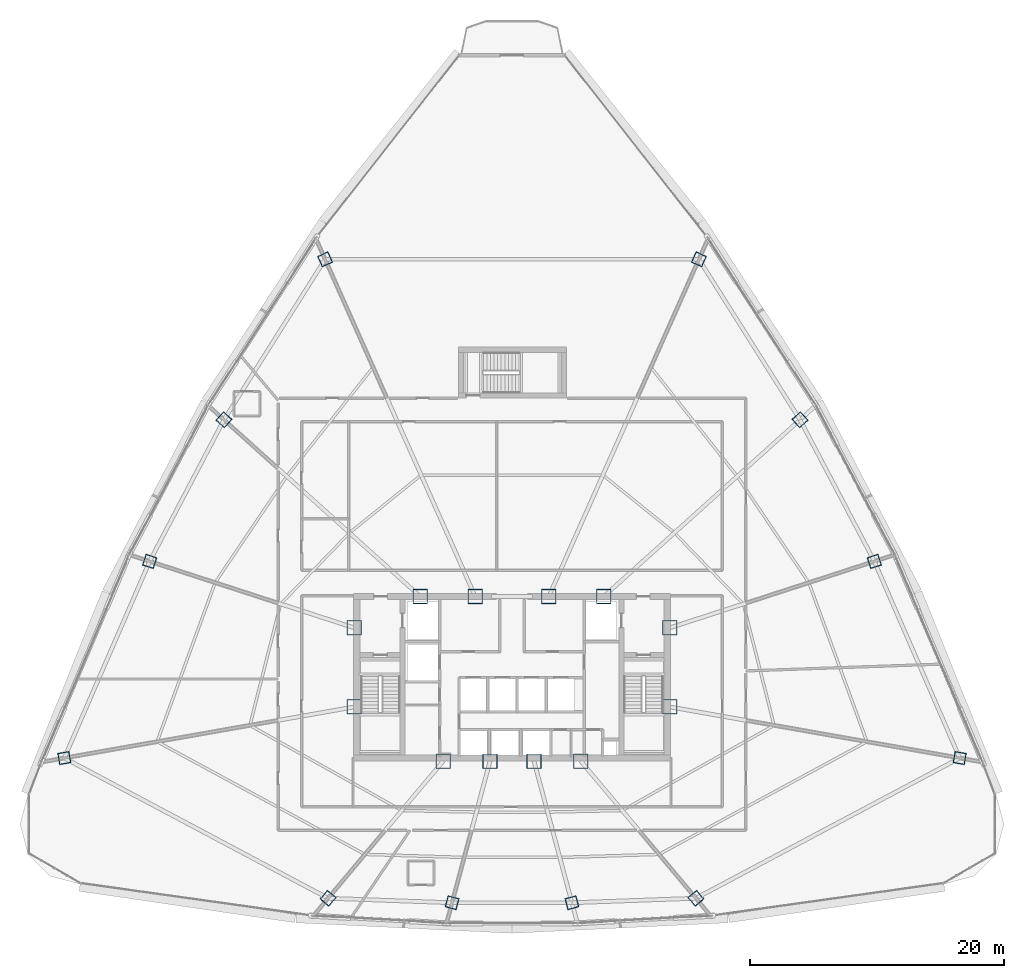
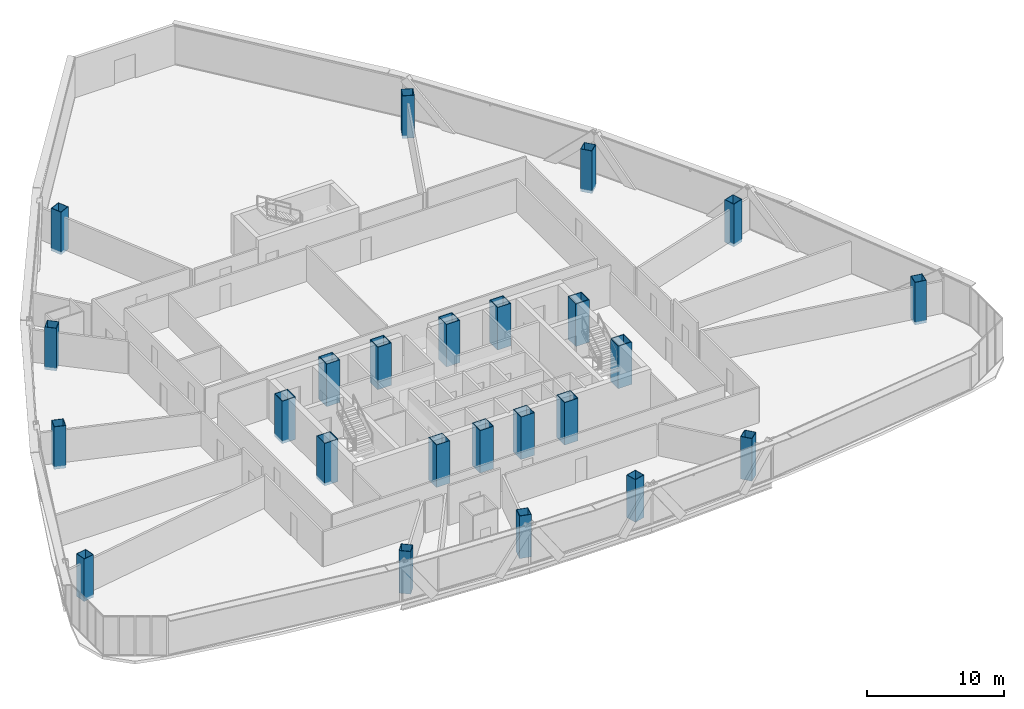
# One storey, part 1 of 38: 24 columns.
"""IFC4 building model written with IfcOpenShell, lengths in metres."""

from ifc_helpers import new_model, si_unit, direction, frame, origin, origin_2d, place, context, subcontext, project, spatial, hollow_rectangle, extrude, source, transform, mapped, material, material_profile, profile_set, type_object, element, save


model = new_model("IFC4")

# Units and contexts
model_context = context("Model", 3, precision=1e-05, world=origin(), true_north=direction((0.0, 1.0)))
body_context = subcontext(model_context, "Body", "Model", "MODEL_VIEW")
ifc_project = project(units=[si_unit("LENGTHUNIT", "METRE"), si_unit("AREAUNIT", "SQUARE_METRE"), si_unit("VOLUMEUNIT", "CUBIC_METRE"), si_unit("PLANEANGLEUNIT", "RADIAN"), si_unit("MASSUNIT", "GRAM", prefix="KILO"), si_unit("THERMODYNAMICTEMPERATUREUNIT", "KELVIN"), si_unit("POWERUNIT", "WATT")], contexts=[model_context])

# Site, building, storey
site_placement = place(None, origin())
site = spatial("IfcSite", under=ifc_project, at=site_placement, CompositionType="ELEMENT")
building_placement = place(site_placement, origin())
building = spatial("IfcBuilding", under=site, at=building_placement, Name="Yunzhuo Pagoda Commons", CompositionType="ELEMENT")
storey_placement = place(building_placement, frame((0.0, 0.0, 203.760009765625)))
storey = spatial("IfcBuildingStorey", under=building, at=storey_placement, Name="L51", CompositionType="ELEMENT", Elevation=203.760009765625)

# Columns
ifc_material = material(Name="Structural steel Q420B", Category="steel")
ifc_material_profile_1 = material_profile(ifc_material, hollow_rectangle(XDim=1.14990234375, YDim=1.14990234375, WallThickness=0.048095703125, at=origin_2d()), Name="Structural steel Q420B")
ifc_profile_set_1 = profile_set([ifc_material_profile_1], Name="Structural steel Q420B")
column_type_1 = type_object("IfcColumnType", Name="C-COR Column BOX 1150x1150x48", PredefinedType="COLUMN", material=ifc_profile_set_1)
shared_shape_1 = source(origin(), body_context, "Body", "SweptSolid", [
    extrude(hollow_rectangle(XDim=1.14990234375, YDim=1.14990234375, WallThickness=0.048095703125, at=origin_2d()), origin(), (0.0, 0.0, 1.0), 3.800048828125),
])
for number, where, z_axis, x_axis, name in (
    (1, (42.587890625, 27.25, -0.260009765625), (0.0, 0.0, 1.0), (1.0, 0.0, 0.0), "L51 core composite column F1C1"),
    (2, (46.27197265625, 27.25, -0.260009765625), (0.0, 0.0, 1.0), (1.0, 0.0, 0.0), "L51 core composite column F1C2"),
    (3, (49.728515625, 27.25, -0.260009765625), (0.0, 0.0, 1.0), (1.0, 0.0, 0.0), "L51 core composite column F1C3"),
    (4, (53.412109375, 27.25, -0.260009765625), (0.0, 0.0, 1.0), (1.0, 0.0, 0.0), "L51 core composite column F1C4"),
    (5, (60.39990234375, 31.513427734375, -0.260009765625), (0.0, 0.0, 1.0), (1.0, 0.0, 0.0), "L51 core composite column F2C1"),
    (6, (60.39990234375, 37.72900390625, -0.260009765625), (0.0, 0.0, 1.0), (1.0, 0.0, 0.0), "L51 core composite column F2C2"),
    (7, (55.218994140625, 40.199951171875, -0.260009765625), (0.0, 0.0, 1.0), (1.0, 0.0, 0.0), "L51 core composite column F2C3"),
    (8, (50.89404296875, 40.199951171875, -0.260009765625), (0.0, 0.0, 1.0), (1.0, 0.0, 0.0), "L51 core composite column F2C4"),
    (9, (45.10595703125, 40.199951171875, -0.260009765625), (0.0, 0.0, 1.0), (1.0, 0.0, 0.0), "L51 core composite column F3C1"),
    (10, (40.781005859375, 40.199951171875, -0.260009765625), (0.0, 0.0, 1.0), (1.0, 0.0, 0.0), "L51 core composite column F3C2"),
    (11, (35.60009765625, 37.72900390625, -0.260009765625), (0.0, 0.0, 1.0), (1.0, 0.0, 0.0), "L51 core composite column F3C3"),
    (12, (35.60009765625, 31.513427734375, -0.260009765625), (0.0, 0.0, 1.0), (1.0, 0.0, 0.0), "L51 core composite column F3C4"),
):
    element("IfcColumn", number, at=place(storey_placement, frame(where, z_axis=z_axis, x_axis=x_axis)), inside=storey, type_object=column_type_1, Name=name, PredefinedType="COLUMN", context=body_context, shape_type="MappedRepresentation", body=[
        mapped(shared_shape_1, transform((0.0, 0.0, 0.0), scale=1.0)),
    ])
ifc_material_profile_2 = material_profile(ifc_material, hollow_rectangle(XDim=0.89990234375, YDim=0.89990234375, WallThickness=0.035888671875, at=origin_2d()), Name="Structural steel Q420B")
ifc_profile_set_2 = profile_set([ifc_material_profile_2], Name="Structural steel Q420B")
column_type_2 = type_object("IfcColumnType", Name="C-Z4 Column BOX 900x900x36", PredefinedType="COLUMN", material=ifc_profile_set_2)
shared_shape_2 = source(origin(), body_context, "Body", "SweptSolid", [
    extrude(hollow_rectangle(XDim=0.89990234375, YDim=0.89990234375, WallThickness=0.035888671875, at=origin_2d()), origin(), (0.0, 0.0, 1.0), 3.800048828125),
])
for number, where, z_axis, x_axis, name in (
    (13, (33.538818359375, 16.4658203125, -0.260009765625), (0.0, 0.0, 1.0), (0.766044443119, -0.642787609687, 0.0), "L51 tower column F1C1"),
    (14, (43.28759765625, 16.1123046875, -0.260009765625), (0.0, 0.0, 1.0), (0.965925826289, -0.258819045103, 0.0), "L51 tower column F1C2"),
    (15, (52.712890625, 16.1123046875, -0.260009765625), (0.0, 0.0, 1.0), (0.965925826289, 0.258819045103, 0.0), "L51 tower column F1C3"),
    (16, (62.461181640625, 16.4658203125, -0.260009765625), (0.0, 0.0, 1.0), (0.766044443119, 0.642787609687, 0.0), "L51 tower column F1C4"),
    (17, (83.20654296875, 27.492431640625, -0.260009765625), (0.0, 0.0, 1.0), (0.173648177667, 0.984807753012, 0.0), "L51 tower column F2C1"),
    (18, (76.49462890625, 42.95849609375, -0.260009765625), (0.0, 0.0, 1.0), (-0.309016994375, 0.951056516295, 0.0), "L51 tower column F2C2"),
    (19, (70.650634765625, 54.0947265625, -0.260009765625), (0.0, 0.0, 1.0), (-0.669130606359, 0.743144825477, 0.0), "L51 tower column F2C3"),
    (20, (62.698974609375, 66.714599609375, -0.260009765625), (0.0, 0.0, 1.0), (-0.913545457643, 0.406736643076, 0.0), "L51 tower column F2C4"),
    (21, (33.301025390625, 66.714599609375, -0.260009765625), (0.0, 0.0, 1.0), (-0.913545457643, -0.406736643076, 0.0), "L51 tower column F3C1"),
    (22, (25.349365234375, 54.0947265625, -0.260009765625), (0.0, 0.0, 1.0), (-0.669130606359, -0.743144825477, 0.0), "L51 tower column F3C2"),
    (23, (19.50537109375, 42.95849609375, -0.260009765625), (0.0, 0.0, 1.0), (-0.309016994375, -0.951056516295, 0.0), "L51 tower column F3C3"),
    (24, (12.79345703125, 27.492431640625, -0.260009765625), (0.0, 0.0, 1.0), (0.173648177667, -0.984807753012, 0.0), "L51 tower column F3C4"),
):
    element("IfcColumn", number, at=place(storey_placement, frame(where, z_axis=z_axis, x_axis=x_axis)), inside=storey, type_object=column_type_2, Name=name, PredefinedType="COLUMN", context=body_context, shape_type="MappedRepresentation", body=[
        mapped(shared_shape_2, transform((0.0, 0.0, 0.0), scale=1.0)),
    ])

save(model, "model.ifc")
